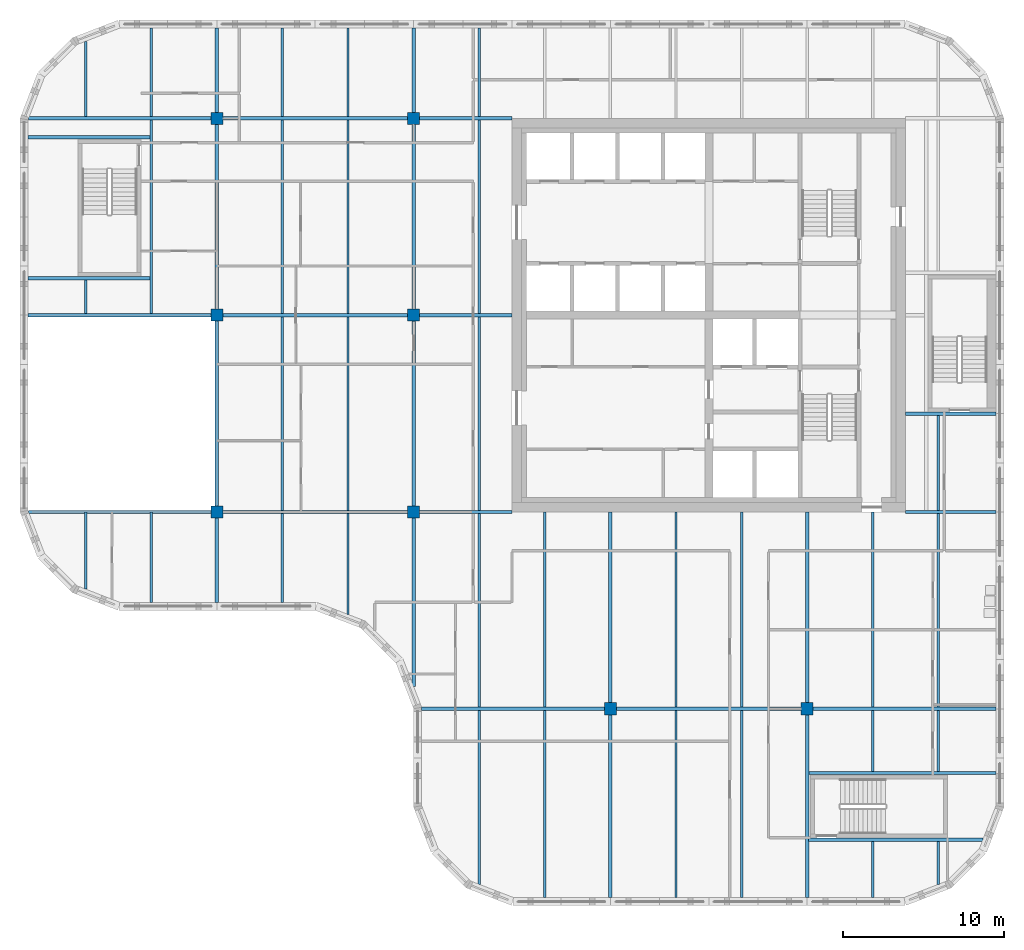
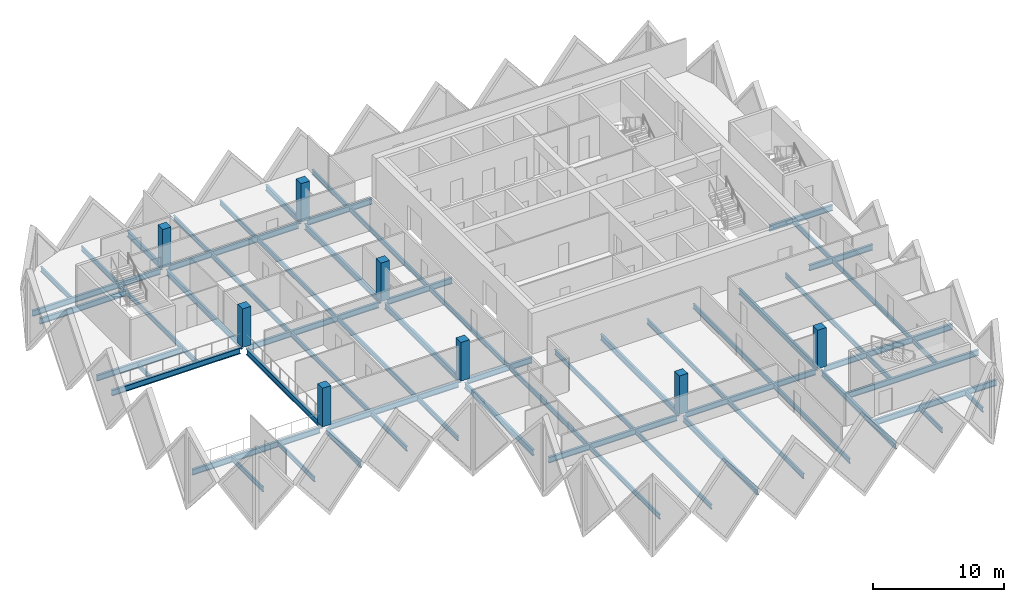
# One storey, part 1 of 12: 62 beams, 8 columns.
"""IFC4 building model written with IfcOpenShell, lengths in metres."""

import ifcopenshell
import ifcopenshell.guid

model = None  # the IFC model being written
_history = None  # IfcOwnerHistory: only IFC2X3 demands one
_inside = {}  # id of a spatial element -> (the spatial element, [elements in it])
_under = {}  # id of a project, library or spatial element -> (it, [spatial elements below it])
_declared = {}  # id of a project -> (the project, [libraries it declares])
_typed = {}  # id of a type object -> (the type object, [elements of that type])
_made_of = {}  # id of a material, layer set ... -> (it, [elements and type objects made of it])


def new_model(schema):
    """Start an empty IFC model of exactly this schema.

    Asked for "IFC4X3", IfcOpenShell would pick the latest addendum, in which some entities
    have other attributes; the version numbers below select the first issue.
    IFC2X3 requires an IfcOwnerHistory on every rooted entity: one is made here for all.
    """
    global model, _history
    if schema == "IFC4X3":
        model = ifcopenshell.file(schema_version=(4, 3, 0, 0))
    else:
        model = ifcopenshell.file(schema=schema)
    _inside.clear()
    _under.clear()
    _declared.clear()
    _typed.clear()
    _made_of.clear()
    _history = None
    if model.schema == "IFC2X3":
        org = make("IfcOrganization", Name="unknown")
        user = make(
            "IfcPersonAndOrganization",
            ThePerson=make("IfcPerson", FamilyName="unknown"),
            TheOrganization=org,
        )
        app = make(
            "IfcApplication",
            ApplicationDeveloper=org,
            Version="unknown",
            ApplicationFullName="unknown",
            ApplicationIdentifier="unknown",
        )
        _history = make(
            "IfcOwnerHistory",
            OwningUser=user,
            OwningApplication=app,
            ChangeAction="ADDED",
            CreationDate=0,
        )
    return model


def make(cls, **values):
    """One entity of the class cls with the attributes given. An attribute that is None is left unset."""
    return model.create_entity(
        cls, **{name: value for name, value in values.items() if value is not None}
    )


def rooted(cls, **values):
    """An entity with a GlobalId (a new one), such as an element, a storey or a relation."""
    return make(cls, GlobalId=ifcopenshell.guid.new(), OwnerHistory=_history, **values)


def si_unit(unit_type, name, prefix=None):
    """IfcSIUnit, for example si_unit("LENGTHUNIT", "METRE", prefix="MILLI")."""
    return make("IfcSIUnit", UnitType=unit_type, Prefix=prefix, Name=name)


def assignment(units):
    """IfcUnitAssignment: the units of a project."""
    return None if units is None else make("IfcUnitAssignment", Units=units)


def point(xyz):
    """IfcCartesianPoint."""
    return None if xyz is None else make("IfcCartesianPoint", Coordinates=xyz)


def direction(xyz):
    """IfcDirection."""
    return None if xyz is None else make("IfcDirection", DirectionRatios=xyz)


def frame(location, z_axis=None, x_axis=None):
    """IfcAxis2Placement3D, a coordinate frame: its origin and axes. An axis left out is left unset."""
    return make(
        "IfcAxis2Placement3D",
        Location=point(location),
        Axis=direction(z_axis),
        RefDirection=direction(x_axis),
    )


def frame_2d(location, x_axis=None):
    """IfcAxis2Placement2D, a coordinate frame in the plane: its origin and x axis."""
    return make(
        "IfcAxis2Placement2D", Location=point(location), RefDirection=direction(x_axis)
    )


def origin():
    """The frame at (0, 0, 0) with its axes left unset."""
    return frame((0.0, 0.0, 0.0))


def origin_2d():
    """The frame at (0, 0) in the plane with its x axis left unset."""
    return frame_2d((0.0, 0.0))


def place(relative_to, where):
    """IfcLocalPlacement: puts the frame where relative to a parent placement (None: the world)."""
    return make(
        "IfcLocalPlacement", PlacementRelTo=relative_to, RelativePlacement=where
    )


def context(
    kind, dimensions, precision=None, world=None, true_north=None, identifier=None
):
    """IfcGeometricRepresentationContext, for example the 3D "Model" context."""
    return make(
        "IfcGeometricRepresentationContext",
        ContextIdentifier=identifier,
        ContextType=kind,
        CoordinateSpaceDimension=dimensions,
        Precision=precision,
        WorldCoordinateSystem=world,
        TrueNorth=true_north,
    )


def subcontext(parent, identifier, kind, view, scale=None):
    """IfcGeometricRepresentationSubContext, for example "Body" below "Model"."""
    return make(
        "IfcGeometricRepresentationSubContext",
        ContextIdentifier=identifier,
        ContextType=kind,
        ParentContext=parent,
        TargetScale=scale,
        TargetView=view,
    )


def project(units=None, contexts=None):
    """IfcProject with its units and contexts."""
    return rooted(
        "IfcProject",
        Name="project",
        RepresentationContexts=contexts,
        UnitsInContext=assignment(units),
    )


def spatial(cls, under=None, at=None, **own):
    """A site, building, storey or space (cls), placed at a placement, below another one or the project."""
    s = rooted(cls, ObjectPlacement=at, **own)
    if under is not None:
        _under.setdefault(under.id(), (under, []))[1].append(s)
    return s


def profile(cls, at=None, kind="AREA", **sizes):
    """A parametric profile (cls). Its sizes go by their IFC names, for example OverallWidth=200.0."""
    return make(cls, ProfileType=kind, Position=at, **sizes)


def rectangle(**sizes):
    """IfcRectangleProfileDef."""
    return profile("IfcRectangleProfileDef", **sizes)


def i_section(**sizes):
    """IfcIShapeProfileDef."""
    return profile("IfcIShapeProfileDef", **sizes)


def extrude(swept, where, along, depth):
    """IfcExtrudedAreaSolid: the profile swept, set in the frame where, extruded along a direction by depth."""
    return make(
        "IfcExtrudedAreaSolid",
        SweptArea=swept,
        Position=where,
        ExtrudedDirection=direction(along),
        Depth=depth,
    )


def shape(context_of_items, identifier, shape_type, items):
    """IfcShapeRepresentation: the items that make up one representation, for example the "Body"."""
    return make(
        "IfcShapeRepresentation",
        ContextOfItems=context_of_items,
        RepresentationIdentifier=identifier,
        RepresentationType=shape_type,
        Items=items,
    )


def material(Name=None, Category=None):
    """IfcMaterial."""
    return make("IfcMaterial", Name=Name, Category=Category)


def material_profile(
    of_material, cross_section, Name=None, Category=None, Priority=None
):
    """IfcMaterialProfile: a cross section and its material."""
    return make(
        "IfcMaterialProfile",
        Name=Name,
        Material=of_material,
        Profile=cross_section,
        Priority=Priority,
        Category=Category,
    )


def profile_set(profiles, Name=None, composite=None):
    """IfcMaterialProfileSet."""
    return make(
        "IfcMaterialProfileSet",
        Name=Name,
        MaterialProfiles=profiles,
        CompositeProfile=composite,
    )


def made_of(thing, what):
    """Note that an element or type object is made of a material, layer set ...; save() writes the relation."""
    if what is not None:
        _made_of.setdefault(what.id(), (what, []))[1].append(thing)
    return thing


def type_object(cls, material=None, **own):
    """A type object (cls), such as IfcWallType, which elements share."""
    return made_of(rooted(cls, **own), material)


def element(
    cls,
    number,
    at=None,
    inside=None,
    cuts=None,
    type_object=None,
    material=None,
    context=None,
    identifier="Body",
    shape_type=None,
    held_by="IfcProductDefinitionShape",
    body=None,
    shapes=None,
    **own,
):
    """One element of the class cls, such as IfcWall. Its Tag is "e" and its number.

    at: its placement. inside: the storey or other place that contains it. cuts: it is an
    opening in that element (IfcRelVoidsElement). A single representation is given by context,
    identifier, shape_type and body (its items); several are given by shapes. held_by: the class
    of the entity that holds the representations. save() writes the other relations.
    """
    e = rooted(cls, Tag="e%d" % number, ObjectPlacement=at, **own)
    if body is not None:
        shapes = [shape(context, identifier, shape_type, body)]
    if shapes is not None:
        e.Representation = make(held_by, Representations=shapes)
    if inside is not None:
        _inside.setdefault(inside.id(), (inside, []))[1].append(e)
    if cuts is not None:
        rooted(
            "IfcRelVoidsElement", RelatingBuildingElement=cuts, RelatedOpeningElement=e
        )
    if type_object is not None:
        _typed.setdefault(type_object.id(), (type_object, []))[1].append(e)
    return made_of(e, material)


def aggregate(whole, parts):
    """IfcRelAggregates: a whole, such as a stair, and the parts it consists of."""
    return rooted("IfcRelAggregates", RelatingObject=whole, RelatedObjects=parts)


def save(model, path):
    """Write the relations noted so far, then the file.

    IfcRelAggregates (storeys below a building ...), IfcRelContainedInSpatialStructure (elements
    in a storey), IfcRelDefinesByType, IfcRelAssociatesMaterial and IfcRelDeclares: one each for
    every whole, place, type object, material and project.
    """
    for whole, parts in _under.values():
        aggregate(whole, parts)
    for where, things in _inside.values():
        rooted(
            "IfcRelContainedInSpatialStructure",
            RelatedElements=things,
            RelatingStructure=where,
        )
    for kind, things in _typed.values():
        rooted("IfcRelDefinesByType", RelatedObjects=things, RelatingType=kind)
    for what, things in _made_of.values():
        rooted("IfcRelAssociatesMaterial", RelatedObjects=things, RelatingMaterial=what)
    for by, libraries in _declared.values():
        rooted("IfcRelDeclares", RelatingContext=by, RelatedDefinitions=libraries)
    model.write(path)


model = new_model("IFC4")

# Units and contexts
model_context = context("Model", 3, precision=1e-05, world=origin(), true_north=direction((0.0, 1.0)))
body_context = subcontext(model_context, "Body", "Model", "MODEL_VIEW")
ifc_project = project(units=[si_unit("LENGTHUNIT", "METRE"), si_unit("AREAUNIT", "SQUARE_METRE"), si_unit("VOLUMEUNIT", "CUBIC_METRE"), si_unit("PLANEANGLEUNIT", "RADIAN"), si_unit("MASSUNIT", "GRAM", prefix="KILO")], contexts=[model_context])

# Site, building, storey
site_placement = place(None, origin())
site = spatial("IfcSite", under=ifc_project, at=site_placement, CompositionType="ELEMENT")
building_placement = place(site_placement, origin())
building = spatial("IfcBuilding", under=site, at=building_placement, Name="Tessera Gate Towers", CompositionType="ELEMENT")
storey_placement = place(building_placement, frame((0.0, 0.0, 182.0)))
storey = spatial("IfcBuildingStorey", under=building, at=storey_placement, Name="L45", CompositionType="ELEMENT", Elevation=182.0)

# Columns
ifc_material_1 = material(Name="Concrete C70/85", Category="concrete")
ifc_material_profile_1 = material_profile(ifc_material_1, rectangle(XDim=0.75, YDim=0.75, at=origin_2d()), Name="RC 750x750")
ifc_profile_set_1 = profile_set([ifc_material_profile_1], Name="Concrete C70/85")
column_type = type_object("IfcColumnType", Name="COLUMN RC 750x750", PredefinedType="COLUMN", material=ifc_profile_set_1)
for number, where, z_axis, x_axis, name in (
    (1, (12.199951171875, 24.39990234375, 0.0), (0.0, 0.0, 1.0), (1.0, 0.0, 0.0), "T1-COL-2C-L45"),
    (2, (12.199951171875, 36.60009765625, 0.0), (0.0, 0.0, 1.0), (1.0, 0.0, 0.0), "T1-COL-2D-L45"),
    (3, (12.199951171875, 48.800048828125, 0.0), (0.0, 0.0, 1.0), (1.0, 0.0, 0.0), "T1-COL-2E-L45"),
    (4, (24.39990234375, 24.39990234375, 0.0), (0.0, 0.0, 1.0), (1.0, 0.0, 0.0), "T1-COL-3C-L45"),
    (5, (24.39990234375, 36.60009765625, 0.0), (0.0, 0.0, 1.0), (1.0, 0.0, 0.0), "T1-COL-3D-L45"),
    (6, (24.39990234375, 48.800048828125, 0.0), (0.0, 0.0, 1.0), (1.0, 0.0, 0.0), "T1-COL-3E-L45"),
    (7, (36.60009765625, 12.199951171875, 0.0), (0.0, 0.0, 1.0), (1.0, 0.0, 0.0), "T1-COL-4B-L45"),
    (8, (48.800048828125, 12.199951171875, 0.0), (0.0, 0.0, 1.0), (1.0, 0.0, 0.0), "T1-COL-5B-L45"),
):
    element("IfcColumn", number, at=place(storey_placement, frame(where, z_axis=z_axis, x_axis=x_axis)), inside=storey, type_object=column_type, Name=name, PredefinedType="COLUMN", context=body_context, shape_type="SweptSolid", body=[
        extrude(rectangle(XDim=0.75, YDim=0.75, at=origin_2d()), origin(), (0.0, 0.0, 1.0), 3.60009765625),
    ])

# Beams
ifc_material_2 = material(Name="Steel 350W", Category="steel")
ifc_material_profile_2 = material_profile(ifc_material_2, i_section(OverallWidth=0.208984375, OverallDepth=0.532958984375, WebThickness=0.01025390625, FlangeThickness=0.015625, at=origin_2d()), Name="W530x92")
ifc_profile_set_2 = profile_set([ifc_material_profile_2], Name="Steel 350W")
beam_type_1 = type_object("IfcBeamType", Name="FLOOR GIRDER W530x92", PredefinedType="BEAM", material=ifc_profile_set_2)
beam_1_placement = place(storey_placement, frame((24.89892578125, 12.199951171875, -0.466552734375), z_axis=(1.0, 0.0, 0.0), x_axis=(0.0, 1.0, 0.0)))
element("IfcBeam", 9, at=beam_1_placement, inside=storey, type_object=beam_type_1, Name="T1-GD-L45-4886", PredefinedType="BEAM", context=body_context, shape_type="SweptSolid", body=[
    extrude(i_section(OverallWidth=0.208984375, OverallDepth=0.532958984375, WebThickness=0.01025390625, FlangeThickness=0.015625, at=origin_2d()), origin(), (0.0, 0.0, 1.0), 11.326171875),
])
beam_2_placement = place(storey_placement, frame((36.97509765625, 12.199951171875, -0.466552734375), z_axis=(1.0, 0.0, 0.0), x_axis=(0.0, 1.0, 0.0)))
element("IfcBeam", 10, at=beam_2_placement, inside=storey, type_object=beam_type_1, Name="T1-GD-L45-4887", PredefinedType="BEAM", context=body_context, shape_type="SweptSolid", body=[
    extrude(i_section(OverallWidth=0.208984375, OverallDepth=0.532958984375, WebThickness=0.01025390625, FlangeThickness=0.015625, at=origin_2d()), origin(), (0.0, 0.0, 1.0), 11.449951171875),
])
beam_3_placement = place(storey_placement, frame((49.175048828125, 12.199951171875, -0.466552734375), z_axis=(1.0, 0.0, 0.0), x_axis=(0.0, 1.0, 0.0)))
element("IfcBeam", 11, at=beam_3_placement, inside=storey, type_object=beam_type_1, Name="T1-GD-L45-4888", PredefinedType="BEAM", context=body_context, shape_type="SweptSolid", body=[
    extrude(i_section(OverallWidth=0.208984375, OverallDepth=0.532958984375, WebThickness=0.01025390625, FlangeThickness=0.015625, at=origin_2d()), origin(), (0.0, 0.0, 1.0), 11.325927734375),
])
beam_4_placement = place(storey_placement, frame((0.534912109375, 24.39990234375, -0.466552734375), z_axis=(1.0, 0.0, 0.0), x_axis=(0.0, 1.0, 0.0)))
element("IfcBeam", 12, at=beam_4_placement, inside=storey, type_object=beam_type_1, Name="T1-GD-L45-4889", PredefinedType="BEAM", context=body_context, shape_type="SweptSolid", body=[
    extrude(i_section(OverallWidth=0.208984375, OverallDepth=0.532958984375, WebThickness=0.01025390625, FlangeThickness=0.015625, at=origin_2d()), origin(), (0.0, 0.0, 1.0), 11.2900390625),
])
beam_5_placement = place(storey_placement, frame((12.574951171875, 24.39990234375, -0.466552734375), z_axis=(1.0, 0.0, 0.0), x_axis=(0.0, 1.0, 0.0)))
element("IfcBeam", 13, at=beam_5_placement, inside=storey, type_object=beam_type_1, Name="T1-GD-L45-4890", PredefinedType="BEAM", context=body_context, shape_type="SweptSolid", body=[
    extrude(i_section(OverallWidth=0.208984375, OverallDepth=0.532958984375, WebThickness=0.01025390625, FlangeThickness=0.015625, at=origin_2d()), origin(), (0.0, 0.0, 1.0), 11.449951171875),
])
beam_6_placement = place(storey_placement, frame((24.77490234375, 24.39990234375, -0.466552734375), z_axis=(1.0, 0.0, 0.0), x_axis=(0.0, 1.0, 0.0)))
element("IfcBeam", 14, at=beam_6_placement, inside=storey, type_object=beam_type_1, Name="T1-GD-L45-4891", PredefinedType="BEAM", context=body_context, shape_type="SweptSolid", body=[
    extrude(i_section(OverallWidth=0.208984375, OverallDepth=0.532958984375, WebThickness=0.01025390625, FlangeThickness=0.015625, at=origin_2d()), origin(), (0.0, 0.0, 1.0), 5.72412109375),
])
beam_7_placement = place(storey_placement, frame((54.90087890625, 24.39990234375, -0.466552734375), z_axis=(1.0, 0.0, 0.0), x_axis=(0.0, 1.0, 0.0)))
element("IfcBeam", 15, at=beam_7_placement, inside=storey, type_object=beam_type_1, Name="T1-GD-L45-4892", PredefinedType="BEAM", context=body_context, shape_type="SweptSolid", body=[
    extrude(i_section(OverallWidth=0.208984375, OverallDepth=0.532958984375, WebThickness=0.01025390625, FlangeThickness=0.015625, at=origin_2d()), origin(), (0.0, 0.0, 1.0), 5.60009765625),
])
beam_8_placement = place(storey_placement, frame((0.4990234375, 36.60009765625, -0.466552734375), z_axis=(1.0, 0.0, 0.0), x_axis=(0.0, 1.0, 0.0)))
element("IfcBeam", 16, at=beam_8_placement, inside=storey, type_object=beam_type_1, Name="T1-GD-L45-4893", PredefinedType="BEAM", context=body_context, shape_type="SweptSolid", body=[
    extrude(i_section(OverallWidth=0.208984375, OverallDepth=0.532958984375, WebThickness=0.01025390625, FlangeThickness=0.015625, at=origin_2d()), origin(), (0.0, 0.0, 1.0), 11.325927734375),
])
beam_9_placement = place(storey_placement, frame((12.574951171875, 36.60009765625, -0.466552734375), z_axis=(1.0, 0.0, 0.0), x_axis=(0.0, 1.0, 0.0)))
element("IfcBeam", 17, at=beam_9_placement, inside=storey, type_object=beam_type_1, Name="T1-GD-L45-4894", PredefinedType="BEAM", context=body_context, shape_type="SweptSolid", body=[
    extrude(i_section(OverallWidth=0.208984375, OverallDepth=0.532958984375, WebThickness=0.01025390625, FlangeThickness=0.015625, at=origin_2d()), origin(), (0.0, 0.0, 1.0), 11.449951171875),
])
beam_10_placement = place(storey_placement, frame((24.77490234375, 36.60009765625, -0.466552734375), z_axis=(1.0, 0.0, 0.0), x_axis=(0.0, 1.0, 0.0)))
element("IfcBeam", 18, at=beam_10_placement, inside=storey, type_object=beam_type_1, Name="T1-GD-L45-4895", PredefinedType="BEAM", context=body_context, shape_type="SweptSolid", body=[
    extrude(i_section(OverallWidth=0.208984375, OverallDepth=0.532958984375, WebThickness=0.01025390625, FlangeThickness=0.015625, at=origin_2d()), origin(), (0.0, 0.0, 1.0), 5.72607421875),
])
beam_11_placement = place(storey_placement, frame((0.534912109375, 48.800048828125, -0.466552734375), z_axis=(1.0, 0.0, 0.0), x_axis=(0.0, 1.0, 0.0)))
element("IfcBeam", 19, at=beam_11_placement, inside=storey, type_object=beam_type_1, Name="T1-GD-L45-4897", PredefinedType="BEAM", context=body_context, shape_type="SweptSolid", body=[
    extrude(i_section(OverallWidth=0.208984375, OverallDepth=0.532958984375, WebThickness=0.01025390625, FlangeThickness=0.015625, at=origin_2d()), origin(), (0.0, 0.0, 1.0), 11.2900390625),
])
beam_12_placement = place(storey_placement, frame((12.574951171875, 48.800048828125, -0.466552734375), z_axis=(1.0, 0.0, 0.0), x_axis=(0.0, 1.0, 0.0)))
element("IfcBeam", 20, at=beam_12_placement, inside=storey, type_object=beam_type_1, Name="T1-GD-L45-4898", PredefinedType="BEAM", context=body_context, shape_type="SweptSolid", body=[
    extrude(i_section(OverallWidth=0.208984375, OverallDepth=0.532958984375, WebThickness=0.01025390625, FlangeThickness=0.015625, at=origin_2d()), origin(), (0.0, 0.0, 1.0), 11.449951171875),
])
beam_13_placement = place(storey_placement, frame((24.77490234375, 48.800048828125, -0.466552734375), z_axis=(1.0, 0.0, 0.0), x_axis=(0.0, 1.0, 0.0)))
element("IfcBeam", 21, at=beam_13_placement, inside=storey, type_object=beam_type_1, Name="T1-GD-L45-4899", PredefinedType="BEAM", context=body_context, shape_type="SweptSolid", body=[
    extrude(i_section(OverallWidth=0.208984375, OverallDepth=0.532958984375, WebThickness=0.01025390625, FlangeThickness=0.015625, at=origin_2d()), origin(), (0.0, 0.0, 1.0), 5.72412109375),
])
beam_14_placement = place(storey_placement, frame((12.199951171875, 18.799072265625, -0.466552734375), z_axis=(0.0, 1.0, 0.0), x_axis=(-1.0, 0.0, 0.0)))
element("IfcBeam", 22, at=beam_14_placement, inside=storey, type_object=beam_type_1, Name="T1-GD-L45-4901", PredefinedType="BEAM", context=body_context, shape_type="SweptSolid", body=[
    extrude(i_section(OverallWidth=0.208984375, OverallDepth=0.532958984375, WebThickness=0.01025390625, FlangeThickness=0.015625, at=origin_2d()), origin(), (0.0, 0.0, 1.0), 5.225830078125),
])
beam_15_placement = place(storey_placement, frame((12.199951171875, 24.77490234375, -0.466552734375), z_axis=(0.0, 1.0, 0.0), x_axis=(-1.0, 0.0, 0.0)))
element("IfcBeam", 23, at=beam_15_placement, inside=storey, type_object=beam_type_1, Name="T1-GD-L45-4902", PredefinedType="BEAM", context=body_context, shape_type="SweptSolid", body=[
    extrude(i_section(OverallWidth=0.208984375, OverallDepth=0.532958984375, WebThickness=0.01025390625, FlangeThickness=0.015625, at=origin_2d()), origin(), (0.0, 0.0, 1.0), 11.4501953125),
])
beam_16_placement = place(storey_placement, frame((12.199951171875, 36.97509765625, -0.466552734375), z_axis=(0.0, 1.0, 0.0), x_axis=(-1.0, 0.0, 0.0)))
element("IfcBeam", 24, at=beam_16_placement, inside=storey, type_object=beam_type_1, Name="T1-GD-L45-4903", PredefinedType="BEAM", context=body_context, shape_type="SweptSolid", body=[
    extrude(i_section(OverallWidth=0.208984375, OverallDepth=0.532958984375, WebThickness=0.01025390625, FlangeThickness=0.015625, at=origin_2d()), origin(), (0.0, 0.0, 1.0), 11.449951171875),
])
beam_17_placement = place(storey_placement, frame((12.199951171875, 49.175048828125, -0.466552734375), z_axis=(0.0, 1.0, 0.0), x_axis=(-1.0, 0.0, 0.0)))
element("IfcBeam", 25, at=beam_17_placement, inside=storey, type_object=beam_type_1, Name="T1-GD-L45-4904", PredefinedType="BEAM", context=body_context, shape_type="SweptSolid", body=[
    extrude(i_section(OverallWidth=0.208984375, OverallDepth=0.532958984375, WebThickness=0.01025390625, FlangeThickness=0.015625, at=origin_2d()), origin(), (0.0, 0.0, 1.0), 5.225830078125),
])
beam_18_placement = place(storey_placement, frame((24.39990234375, 13.58642578125, -0.466552734375), z_axis=(0.0, 1.0, 0.0), x_axis=(-1.0, 0.0, 0.0)))
element("IfcBeam", 26, at=beam_18_placement, inside=storey, type_object=beam_type_1, Name="T1-GD-L45-4905", PredefinedType="BEAM", context=body_context, shape_type="SweptSolid", body=[
    extrude(i_section(OverallWidth=0.208984375, OverallDepth=0.532958984375, WebThickness=0.01025390625, FlangeThickness=0.015625, at=origin_2d()), origin(), (0.0, 0.0, 1.0), 10.4384765625),
])
beam_19_placement = place(storey_placement, frame((24.39990234375, 24.77490234375, -0.466552734375), z_axis=(0.0, 1.0, 0.0), x_axis=(-1.0, 0.0, 0.0)))
element("IfcBeam", 27, at=beam_19_placement, inside=storey, type_object=beam_type_1, Name="T1-GD-L45-4906", PredefinedType="BEAM", context=body_context, shape_type="SweptSolid", body=[
    extrude(i_section(OverallWidth=0.208984375, OverallDepth=0.532958984375, WebThickness=0.01025390625, FlangeThickness=0.015625, at=origin_2d()), origin(), (0.0, 0.0, 1.0), 11.4501953125),
])
beam_20_placement = place(storey_placement, frame((24.39990234375, 36.97509765625, -0.466552734375), z_axis=(0.0, 1.0, 0.0), x_axis=(-1.0, 0.0, 0.0)))
element("IfcBeam", 28, at=beam_20_placement, inside=storey, type_object=beam_type_1, Name="T1-GD-L45-4907", PredefinedType="BEAM", context=body_context, shape_type="SweptSolid", body=[
    extrude(i_section(OverallWidth=0.208984375, OverallDepth=0.532958984375, WebThickness=0.01025390625, FlangeThickness=0.015625, at=origin_2d()), origin(), (0.0, 0.0, 1.0), 11.449951171875),
])
beam_21_placement = place(storey_placement, frame((24.39990234375, 49.175048828125, -0.466552734375), z_axis=(0.0, 1.0, 0.0), x_axis=(-1.0, 0.0, 0.0)))
element("IfcBeam", 29, at=beam_21_placement, inside=storey, type_object=beam_type_1, Name="T1-GD-L45-4908", PredefinedType="BEAM", context=body_context, shape_type="SweptSolid", body=[
    extrude(i_section(OverallWidth=0.208984375, OverallDepth=0.532958984375, WebThickness=0.01025390625, FlangeThickness=0.015625, at=origin_2d()), origin(), (0.0, 0.0, 1.0), 5.225830078125),
])
beam_22_placement = place(storey_placement, frame((36.60009765625, 0.4990234375, -0.466552734375), z_axis=(0.0, 1.0, 0.0), x_axis=(-1.0, 0.0, 0.0)))
element("IfcBeam", 30, at=beam_22_placement, inside=storey, type_object=beam_type_1, Name="T1-GD-L45-4909", PredefinedType="BEAM", context=body_context, shape_type="SweptSolid", body=[
    extrude(i_section(OverallWidth=0.208984375, OverallDepth=0.532958984375, WebThickness=0.01025390625, FlangeThickness=0.015625, at=origin_2d()), origin(), (0.0, 0.0, 1.0), 11.325927734375),
])
beam_23_placement = place(storey_placement, frame((36.60009765625, 12.574951171875, -0.466552734375), z_axis=(0.0, 1.0, 0.0), x_axis=(-1.0, 0.0, 0.0)))
element("IfcBeam", 31, at=beam_23_placement, inside=storey, type_object=beam_type_1, Name="T1-GD-L45-4910", PredefinedType="BEAM", context=body_context, shape_type="SweptSolid", body=[
    extrude(i_section(OverallWidth=0.208984375, OverallDepth=0.532958984375, WebThickness=0.01025390625, FlangeThickness=0.015625, at=origin_2d()), origin(), (0.0, 0.0, 1.0), 11.824951171875),
])
beam_24_placement = place(storey_placement, frame((48.800048828125, 0.4990234375, -0.466552734375), z_axis=(0.0, 1.0, 0.0), x_axis=(-1.0, 0.0, 0.0)))
element("IfcBeam", 32, at=beam_24_placement, inside=storey, type_object=beam_type_1, Name="T1-GD-L45-4911", PredefinedType="BEAM", context=body_context, shape_type="SweptSolid", body=[
    extrude(i_section(OverallWidth=0.208984375, OverallDepth=0.532958984375, WebThickness=0.01025390625, FlangeThickness=0.015625, at=origin_2d()), origin(), (0.0, 0.0, 1.0), 11.325927734375),
])
beam_25_placement = place(storey_placement, frame((48.800048828125, 12.574951171875, -0.466552734375), z_axis=(0.0, 1.0, 0.0), x_axis=(-1.0, 0.0, 0.0)))
element("IfcBeam", 33, at=beam_25_placement, inside=storey, type_object=beam_type_1, Name="T1-GD-L45-4912", PredefinedType="BEAM", context=body_context, shape_type="SweptSolid", body=[
    extrude(i_section(OverallWidth=0.208984375, OverallDepth=0.532958984375, WebThickness=0.01025390625, FlangeThickness=0.015625, at=origin_2d()), origin(), (0.0, 0.0, 1.0), 11.824951171875),
])
for number, where, z_axis, x_axis, name in (
    (34, (0.4990234375, 38.8798828125, -0.466552734375), (1.0, 0.0, 0.0), (0.0, 1.0, 0.0), "T1-GD-L45-4913"),
    (35, (0.4990234375, 47.6201171875, -0.466552734375), (1.0, 0.0, 0.0), (0.0, 1.0, 0.0), "T1-GD-L45-4914"),
):
    element("IfcBeam", number, at=place(storey_placement, frame(where, z_axis=z_axis, x_axis=x_axis)), inside=storey, type_object=beam_type_1, Name=name, PredefinedType="BEAM", context=body_context, shape_type="SweptSolid", body=[
        extrude(i_section(OverallWidth=0.208984375, OverallDepth=0.532958984375, WebThickness=0.01025390625, FlangeThickness=0.015625, at=origin_2d()), origin(), (0.0, 0.0, 1.0), 7.557861328125),
    ])
beam_26_placement = place(storey_placement, frame((48.87646484375, 4.080078125, -0.466552734375), z_axis=(1.0, 0.0, 0.0), x_axis=(0.0, 1.0, 0.0)))
element("IfcBeam", 36, at=beam_26_placement, inside=storey, type_object=beam_type_1, Name="T1-GD-L45-4915", PredefinedType="BEAM", context=body_context, shape_type="SweptSolid", body=[
    extrude(i_section(OverallWidth=0.208984375, OverallDepth=0.532958984375, WebThickness=0.01025390625, FlangeThickness=0.015625, at=origin_2d()), origin(), (0.0, 0.0, 1.0), 10.809326171875),
])
beam_27_placement = place(storey_placement, frame((48.87646484375, 8.219970703125, -0.466552734375), z_axis=(1.0, 0.0, 0.0), x_axis=(0.0, 1.0, 0.0)))
element("IfcBeam", 37, at=beam_27_placement, inside=storey, type_object=beam_type_1, Name="T1-GD-L45-4916", PredefinedType="BEAM", context=body_context, shape_type="SweptSolid", body=[
    extrude(i_section(OverallWidth=0.208984375, OverallDepth=0.532958984375, WebThickness=0.01025390625, FlangeThickness=0.015625, at=origin_2d()), origin(), (0.0, 0.0, 1.0), 11.62451171875),
])
beam_28_placement = place(storey_placement, frame((54.89892578125, 30.47998046875, -0.466552734375), z_axis=(1.0, 0.0, 0.0), x_axis=(0.0, 1.0, 0.0)))
element("IfcBeam", 38, at=beam_28_placement, inside=storey, type_object=beam_type_1, Name="T1-GD-L45-4917", PredefinedType="BEAM", context=body_context, shape_type="SweptSolid", body=[
    extrude(i_section(OverallWidth=0.208984375, OverallDepth=0.532958984375, WebThickness=0.01025390625, FlangeThickness=0.015625, at=origin_2d()), origin(), (0.0, 0.0, 1.0), 5.60205078125),
])
ifc_material_3 = material(Name="Steel 350W", Category="steel")
ifc_material_profile_3 = material_profile(ifc_material_3, i_section(OverallWidth=0.153076171875, OverallDepth=0.455078125, WebThickness=0.008056640625, FlangeThickness=0.01318359375, at=origin_2d()), Name="W460x60")
ifc_profile_set_3 = profile_set([ifc_material_profile_3], Name="Steel 350W")
beam_type_2 = type_object("IfcBeamType", Name="FLOOR SECONDARY W460x60", PredefinedType="BEAM", material=ifc_profile_set_3)
beam_29_placement = place(storey_placement, frame((4.066650390625, 19.620361328125, -0.427490234375), z_axis=(0.0, 1.0, 0.0), x_axis=(-1.0, 0.0, 0.0)))
element("IfcBeam", 39, at=beam_29_placement, inside=storey, type_object=beam_type_2, Name="T1-BM-L45-4920", PredefinedType="BEAM", context=body_context, shape_type="SweptSolid", body=[
    extrude(i_section(OverallWidth=0.153076171875, OverallDepth=0.455078125, WebThickness=0.008056640625, FlangeThickness=0.01318359375, at=origin_2d()), origin(), (0.0, 0.0, 1.0), 4.779541015625),
])
beam_30_placement = place(storey_placement, frame((4.066650390625, 36.70458984375, -0.427490234375), z_axis=(0.0, 1.0, 0.0), x_axis=(-1.0, 0.0, 0.0)))
element("IfcBeam", 40, at=beam_30_placement, inside=storey, type_object=beam_type_2, Name="T1-BM-L45-4921", PredefinedType="BEAM", context=body_context, shape_type="SweptSolid", body=[
    extrude(i_section(OverallWidth=0.153076171875, OverallDepth=0.455078125, WebThickness=0.008056640625, FlangeThickness=0.01318359375, at=origin_2d()), origin(), (0.0, 0.0, 1.0), 2.07080078125),
])
beam_31_placement = place(storey_placement, frame((4.066650390625, 48.904541015625, -0.427490234375), z_axis=(0.0, 1.0, 0.0), x_axis=(-1.0, 0.0, 0.0)))
element("IfcBeam", 41, at=beam_31_placement, inside=storey, type_object=beam_type_2, Name="T1-BM-L45-4922", PredefinedType="BEAM", context=body_context, shape_type="SweptSolid", body=[
    extrude(i_section(OverallWidth=0.153076171875, OverallDepth=0.455078125, WebThickness=0.008056640625, FlangeThickness=0.01318359375, at=origin_2d()), origin(), (0.0, 0.0, 1.0), 4.675048828125),
])
beam_32_placement = place(storey_placement, frame((8.13330078125, 18.800048828125, -0.427490234375), z_axis=(0.0, 1.0, 0.0), x_axis=(-1.0, 0.0, 0.0)))
element("IfcBeam", 42, at=beam_32_placement, inside=storey, type_object=beam_type_2, Name="T1-BM-L45-4923", PredefinedType="BEAM", context=body_context, shape_type="SweptSolid", body=[
    extrude(i_section(OverallWidth=0.153076171875, OverallDepth=0.455078125, WebThickness=0.008056640625, FlangeThickness=0.01318359375, at=origin_2d()), origin(), (0.0, 0.0, 1.0), 5.599853515625),
])
beam_33_placement = place(storey_placement, frame((8.13330078125, 36.70458984375, -0.427490234375), z_axis=(0.0, 1.0, 0.0), x_axis=(-1.0, 0.0, 0.0)))
element("IfcBeam", 43, at=beam_33_placement, inside=storey, type_object=beam_type_2, Name="T1-BM-L45-4924", PredefinedType="BEAM", context=body_context, shape_type="SweptSolid", body=[
    extrude(i_section(OverallWidth=0.153076171875, OverallDepth=0.455078125, WebThickness=0.008056640625, FlangeThickness=0.01318359375, at=origin_2d()), origin(), (0.0, 0.0, 1.0), 11.990966796875),
])
for number, where, z_axis, x_axis, name in (
    (44, (8.13330078125, 48.904541015625, -0.427490234375), (0.0, 1.0, 0.0), (-1.0, 0.0, 0.0), "T1-BM-L45-4925"),
    (45, (16.2666015625, 18.800048828125, -0.427490234375), (0.0, 1.0, 0.0), (-1.0, 0.0, 0.0), "T1-BM-L45-4926"),
):
    element("IfcBeam", number, at=place(storey_placement, frame(where, z_axis=z_axis, x_axis=x_axis)), inside=storey, type_object=beam_type_2, Name=name, PredefinedType="BEAM", context=body_context, shape_type="SweptSolid", body=[
        extrude(i_section(OverallWidth=0.153076171875, OverallDepth=0.455078125, WebThickness=0.008056640625, FlangeThickness=0.01318359375, at=origin_2d()), origin(), (0.0, 0.0, 1.0), 5.495361328125),
    ])
beam_34_placement = place(storey_placement, frame((16.2666015625, 24.50439453125, -0.427490234375), z_axis=(0.0, 1.0, 0.0), x_axis=(-1.0, 0.0, 0.0)))
element("IfcBeam", 46, at=beam_34_placement, inside=storey, type_object=beam_type_2, Name="T1-BM-L45-4927", PredefinedType="BEAM", context=body_context, shape_type="SweptSolid", body=[
    extrude(i_section(OverallWidth=0.153076171875, OverallDepth=0.455078125, WebThickness=0.008056640625, FlangeThickness=0.01318359375, at=origin_2d()), origin(), (0.0, 0.0, 1.0), 11.9912109375),
])
beam_35_placement = place(storey_placement, frame((16.2666015625, 36.70458984375, -0.427490234375), z_axis=(0.0, 1.0, 0.0), x_axis=(-1.0, 0.0, 0.0)))
element("IfcBeam", 47, at=beam_35_placement, inside=storey, type_object=beam_type_2, Name="T1-BM-L45-4928", PredefinedType="BEAM", context=body_context, shape_type="SweptSolid", body=[
    extrude(i_section(OverallWidth=0.153076171875, OverallDepth=0.455078125, WebThickness=0.008056640625, FlangeThickness=0.01318359375, at=origin_2d()), origin(), (0.0, 0.0, 1.0), 11.990966796875),
])
beam_36_placement = place(storey_placement, frame((16.2666015625, 48.904541015625, -0.427490234375), z_axis=(0.0, 1.0, 0.0), x_axis=(-1.0, 0.0, 0.0)))
element("IfcBeam", 48, at=beam_36_placement, inside=storey, type_object=beam_type_2, Name="T1-BM-L45-4929", PredefinedType="BEAM", context=body_context, shape_type="SweptSolid", body=[
    extrude(i_section(OverallWidth=0.153076171875, OverallDepth=0.455078125, WebThickness=0.008056640625, FlangeThickness=0.01318359375, at=origin_2d()), origin(), (0.0, 0.0, 1.0), 5.495361328125),
])
beam_37_placement = place(storey_placement, frame((20.333251953125, 18.051513671875, -0.427490234375), z_axis=(0.0, 1.0, 0.0), x_axis=(-1.0, 0.0, 0.0)))
element("IfcBeam", 49, at=beam_37_placement, inside=storey, type_object=beam_type_2, Name="T1-BM-L45-4930", PredefinedType="BEAM", context=body_context, shape_type="SweptSolid", body=[
    extrude(i_section(OverallWidth=0.153076171875, OverallDepth=0.455078125, WebThickness=0.008056640625, FlangeThickness=0.01318359375, at=origin_2d()), origin(), (0.0, 0.0, 1.0), 6.243896484375),
])
beam_38_placement = place(storey_placement, frame((20.333251953125, 24.50439453125, -0.427490234375), z_axis=(0.0, 1.0, 0.0), x_axis=(-1.0, 0.0, 0.0)))
element("IfcBeam", 50, at=beam_38_placement, inside=storey, type_object=beam_type_2, Name="T1-BM-L45-4931", PredefinedType="BEAM", context=body_context, shape_type="SweptSolid", body=[
    extrude(i_section(OverallWidth=0.153076171875, OverallDepth=0.455078125, WebThickness=0.008056640625, FlangeThickness=0.01318359375, at=origin_2d()), origin(), (0.0, 0.0, 1.0), 11.9912109375),
])
beam_39_placement = place(storey_placement, frame((20.333251953125, 36.70458984375, -0.427490234375), z_axis=(0.0, 1.0, 0.0), x_axis=(-1.0, 0.0, 0.0)))
element("IfcBeam", 51, at=beam_39_placement, inside=storey, type_object=beam_type_2, Name="T1-BM-L45-4932", PredefinedType="BEAM", context=body_context, shape_type="SweptSolid", body=[
    extrude(i_section(OverallWidth=0.153076171875, OverallDepth=0.455078125, WebThickness=0.008056640625, FlangeThickness=0.01318359375, at=origin_2d()), origin(), (0.0, 0.0, 1.0), 11.990966796875),
])
beam_40_placement = place(storey_placement, frame((20.333251953125, 48.904541015625, -0.427490234375), z_axis=(0.0, 1.0, 0.0), x_axis=(-1.0, 0.0, 0.0)))
element("IfcBeam", 52, at=beam_40_placement, inside=storey, type_object=beam_type_2, Name="T1-BM-L45-4933", PredefinedType="BEAM", context=body_context, shape_type="SweptSolid", body=[
    extrude(i_section(OverallWidth=0.153076171875, OverallDepth=0.455078125, WebThickness=0.008056640625, FlangeThickness=0.01318359375, at=origin_2d()), origin(), (0.0, 0.0, 1.0), 5.495361328125),
])
beam_41_placement = place(storey_placement, frame((28.466796875, 1.3203125, -0.427490234375), z_axis=(0.0, 1.0, 0.0), x_axis=(-1.0, 0.0, 0.0)))
element("IfcBeam", 53, at=beam_41_placement, inside=storey, type_object=beam_type_2, Name="T1-BM-L45-4934", PredefinedType="BEAM", context=body_context, shape_type="SweptSolid", body=[
    extrude(i_section(OverallWidth=0.153076171875, OverallDepth=0.455078125, WebThickness=0.008056640625, FlangeThickness=0.01318359375, at=origin_2d()), origin(), (0.0, 0.0, 1.0), 10.775146484375),
])
beam_42_placement = place(storey_placement, frame((28.466796875, 12.304443359375, -0.427490234375), z_axis=(0.0, 1.0, 0.0), x_axis=(-1.0, 0.0, 0.0)))
element("IfcBeam", 54, at=beam_42_placement, inside=storey, type_object=beam_type_2, Name="T1-BM-L45-4935", PredefinedType="BEAM", context=body_context, shape_type="SweptSolid", body=[
    extrude(i_section(OverallWidth=0.153076171875, OverallDepth=0.455078125, WebThickness=0.008056640625, FlangeThickness=0.01318359375, at=origin_2d()), origin(), (0.0, 0.0, 1.0), 11.990966796875),
])
beam_43_placement = place(storey_placement, frame((28.466796875, 24.50439453125, -0.427490234375), z_axis=(0.0, 1.0, 0.0), x_axis=(-1.0, 0.0, 0.0)))
element("IfcBeam", 55, at=beam_43_placement, inside=storey, type_object=beam_type_2, Name="T1-BM-L45-4936", PredefinedType="BEAM", context=body_context, shape_type="SweptSolid", body=[
    extrude(i_section(OverallWidth=0.153076171875, OverallDepth=0.455078125, WebThickness=0.008056640625, FlangeThickness=0.01318359375, at=origin_2d()), origin(), (0.0, 0.0, 1.0), 11.9912109375),
])
beam_44_placement = place(storey_placement, frame((28.466796875, 36.70458984375, -0.427490234375), z_axis=(0.0, 1.0, 0.0), x_axis=(-1.0, 0.0, 0.0)))
element("IfcBeam", 56, at=beam_44_placement, inside=storey, type_object=beam_type_2, Name="T1-BM-L45-4937", PredefinedType="BEAM", context=body_context, shape_type="SweptSolid", body=[
    extrude(i_section(OverallWidth=0.153076171875, OverallDepth=0.455078125, WebThickness=0.008056640625, FlangeThickness=0.01318359375, at=origin_2d()), origin(), (0.0, 0.0, 1.0), 11.990966796875),
])
beam_45_placement = place(storey_placement, frame((28.466796875, 48.904541015625, -0.427490234375), z_axis=(0.0, 1.0, 0.0), x_axis=(-1.0, 0.0, 0.0)))
element("IfcBeam", 57, at=beam_45_placement, inside=storey, type_object=beam_type_2, Name="T1-BM-L45-4938", PredefinedType="BEAM", context=body_context, shape_type="SweptSolid", body=[
    extrude(i_section(OverallWidth=0.153076171875, OverallDepth=0.455078125, WebThickness=0.008056640625, FlangeThickness=0.01318359375, at=origin_2d()), origin(), (0.0, 0.0, 1.0), 5.495361328125),
])
beam_46_placement = place(storey_placement, frame((32.533203125, 0.5, -0.427490234375), z_axis=(0.0, 1.0, 0.0), x_axis=(-1.0, 0.0, 0.0)))
element("IfcBeam", 58, at=beam_46_placement, inside=storey, type_object=beam_type_2, Name="T1-BM-L45-4939", PredefinedType="BEAM", context=body_context, shape_type="SweptSolid", body=[
    extrude(i_section(OverallWidth=0.153076171875, OverallDepth=0.455078125, WebThickness=0.008056640625, FlangeThickness=0.01318359375, at=origin_2d()), origin(), (0.0, 0.0, 1.0), 11.595458984375),
])
beam_47_placement = place(storey_placement, frame((32.533203125, 12.304443359375, -0.427490234375), z_axis=(0.0, 1.0, 0.0), x_axis=(-1.0, 0.0, 0.0)))
element("IfcBeam", 59, at=beam_47_placement, inside=storey, type_object=beam_type_2, Name="T1-BM-L45-4940", PredefinedType="BEAM", context=body_context, shape_type="SweptSolid", body=[
    extrude(i_section(OverallWidth=0.153076171875, OverallDepth=0.455078125, WebThickness=0.008056640625, FlangeThickness=0.01318359375, at=origin_2d()), origin(), (0.0, 0.0, 1.0), 12.095458984375),
])
beam_48_placement = place(storey_placement, frame((40.666748046875, 0.5, -0.427490234375), z_axis=(0.0, 1.0, 0.0), x_axis=(-1.0, 0.0, 0.0)))
element("IfcBeam", 60, at=beam_48_placement, inside=storey, type_object=beam_type_2, Name="T1-BM-L45-4943", PredefinedType="BEAM", context=body_context, shape_type="SweptSolid", body=[
    extrude(i_section(OverallWidth=0.153076171875, OverallDepth=0.455078125, WebThickness=0.008056640625, FlangeThickness=0.01318359375, at=origin_2d()), origin(), (0.0, 0.0, 1.0), 11.595458984375),
])
beam_49_placement = place(storey_placement, frame((40.666748046875, 12.304443359375, -0.427490234375), z_axis=(0.0, 1.0, 0.0), x_axis=(-1.0, 0.0, 0.0)))
element("IfcBeam", 61, at=beam_49_placement, inside=storey, type_object=beam_type_2, Name="T1-BM-L45-4944", PredefinedType="BEAM", context=body_context, shape_type="SweptSolid", body=[
    extrude(i_section(OverallWidth=0.153076171875, OverallDepth=0.455078125, WebThickness=0.008056640625, FlangeThickness=0.01318359375, at=origin_2d()), origin(), (0.0, 0.0, 1.0), 12.095458984375),
])
beam_50_placement = place(storey_placement, frame((44.7333984375, 0.5, -0.427490234375), z_axis=(0.0, 1.0, 0.0), x_axis=(-1.0, 0.0, 0.0)))
element("IfcBeam", 62, at=beam_50_placement, inside=storey, type_object=beam_type_2, Name="T1-BM-L45-4946", PredefinedType="BEAM", context=body_context, shape_type="SweptSolid", body=[
    extrude(i_section(OverallWidth=0.153076171875, OverallDepth=0.455078125, WebThickness=0.008056640625, FlangeThickness=0.01318359375, at=origin_2d()), origin(), (0.0, 0.0, 1.0), 11.595458984375),
])
beam_51_placement = place(storey_placement, frame((44.7333984375, 12.304443359375, -0.427490234375), z_axis=(0.0, 1.0, 0.0), x_axis=(-1.0, 0.0, 0.0)))
element("IfcBeam", 63, at=beam_51_placement, inside=storey, type_object=beam_type_2, Name="T1-BM-L45-4947", PredefinedType="BEAM", context=body_context, shape_type="SweptSolid", body=[
    extrude(i_section(OverallWidth=0.153076171875, OverallDepth=0.455078125, WebThickness=0.008056640625, FlangeThickness=0.01318359375, at=origin_2d()), origin(), (0.0, 0.0, 1.0), 12.095458984375),
])
beam_52_placement = place(storey_placement, frame((52.86669921875, 0.5, -0.427490234375), z_axis=(0.0, 1.0, 0.0), x_axis=(-1.0, 0.0, 0.0)))
element("IfcBeam", 64, at=beam_52_placement, inside=storey, type_object=beam_type_2, Name="T1-BM-L45-4950", PredefinedType="BEAM", context=body_context, shape_type="SweptSolid", body=[
    extrude(i_section(OverallWidth=0.153076171875, OverallDepth=0.455078125, WebThickness=0.008056640625, FlangeThickness=0.01318359375, at=origin_2d()), origin(), (0.0, 0.0, 1.0), 3.4755859375),
])
beam_53_placement = place(storey_placement, frame((52.86669921875, 8.324462890625, -0.427490234375), z_axis=(0.0, 1.0, 0.0), x_axis=(-1.0, 0.0, 0.0)))
element("IfcBeam", 65, at=beam_53_placement, inside=storey, type_object=beam_type_2, Name="T1-BM-L45-4951", PredefinedType="BEAM", context=body_context, shape_type="SweptSolid", body=[
    extrude(i_section(OverallWidth=0.153076171875, OverallDepth=0.455078125, WebThickness=0.008056640625, FlangeThickness=0.01318359375, at=origin_2d()), origin(), (0.0, 0.0, 1.0), 3.77099609375),
])
beam_54_placement = place(storey_placement, frame((52.86669921875, 12.304443359375, -0.427490234375), z_axis=(0.0, 1.0, 0.0), x_axis=(-1.0, 0.0, 0.0)))
element("IfcBeam", 66, at=beam_54_placement, inside=storey, type_object=beam_type_2, Name="T1-BM-L45-4952", PredefinedType="BEAM", context=body_context, shape_type="SweptSolid", body=[
    extrude(i_section(OverallWidth=0.153076171875, OverallDepth=0.455078125, WebThickness=0.008056640625, FlangeThickness=0.01318359375, at=origin_2d()), origin(), (0.0, 0.0, 1.0), 12.095458984375),
])
beam_55_placement = place(storey_placement, frame((56.933349609375, 1.3203125, -0.427490234375), z_axis=(0.0, 1.0, 0.0), x_axis=(-1.0, 0.0, 0.0)))
element("IfcBeam", 67, at=beam_55_placement, inside=storey, type_object=beam_type_2, Name="T1-BM-L45-4954", PredefinedType="BEAM", context=body_context, shape_type="SweptSolid", body=[
    extrude(i_section(OverallWidth=0.153076171875, OverallDepth=0.455078125, WebThickness=0.008056640625, FlangeThickness=0.01318359375, at=origin_2d()), origin(), (0.0, 0.0, 1.0), 2.6552734375),
])
beam_56_placement = place(storey_placement, frame((56.933349609375, 8.324462890625, -0.427490234375), z_axis=(0.0, 1.0, 0.0), x_axis=(-1.0, 0.0, 0.0)))
element("IfcBeam", 68, at=beam_56_placement, inside=storey, type_object=beam_type_2, Name="T1-BM-L45-4955", PredefinedType="BEAM", context=body_context, shape_type="SweptSolid", body=[
    extrude(i_section(OverallWidth=0.153076171875, OverallDepth=0.455078125, WebThickness=0.008056640625, FlangeThickness=0.01318359375, at=origin_2d()), origin(), (0.0, 0.0, 1.0), 3.77099609375),
])
beam_57_placement = place(storey_placement, frame((56.933349609375, 12.304443359375, -0.427490234375), z_axis=(0.0, 1.0, 0.0), x_axis=(-1.0, 0.0, 0.0)))
element("IfcBeam", 69, at=beam_57_placement, inside=storey, type_object=beam_type_2, Name="T1-BM-L45-4956", PredefinedType="BEAM", context=body_context, shape_type="SweptSolid", body=[
    extrude(i_section(OverallWidth=0.153076171875, OverallDepth=0.455078125, WebThickness=0.008056640625, FlangeThickness=0.01318359375, at=origin_2d()), origin(), (0.0, 0.0, 1.0), 11.990966796875),
])
beam_58_placement = place(storey_placement, frame((56.933349609375, 24.50439453125, -0.427490234375), z_axis=(0.0, 1.0, 0.0), x_axis=(-1.0, 0.0, 0.0)))
element("IfcBeam", 70, at=beam_58_placement, inside=storey, type_object=beam_type_2, Name="T1-BM-L45-4957", PredefinedType="BEAM", context=body_context, shape_type="SweptSolid", body=[
    extrude(i_section(OverallWidth=0.153076171875, OverallDepth=0.455078125, WebThickness=0.008056640625, FlangeThickness=0.01318359375, at=origin_2d()), origin(), (0.0, 0.0, 1.0), 5.87109375),
])

save(model, "model.ifc")
